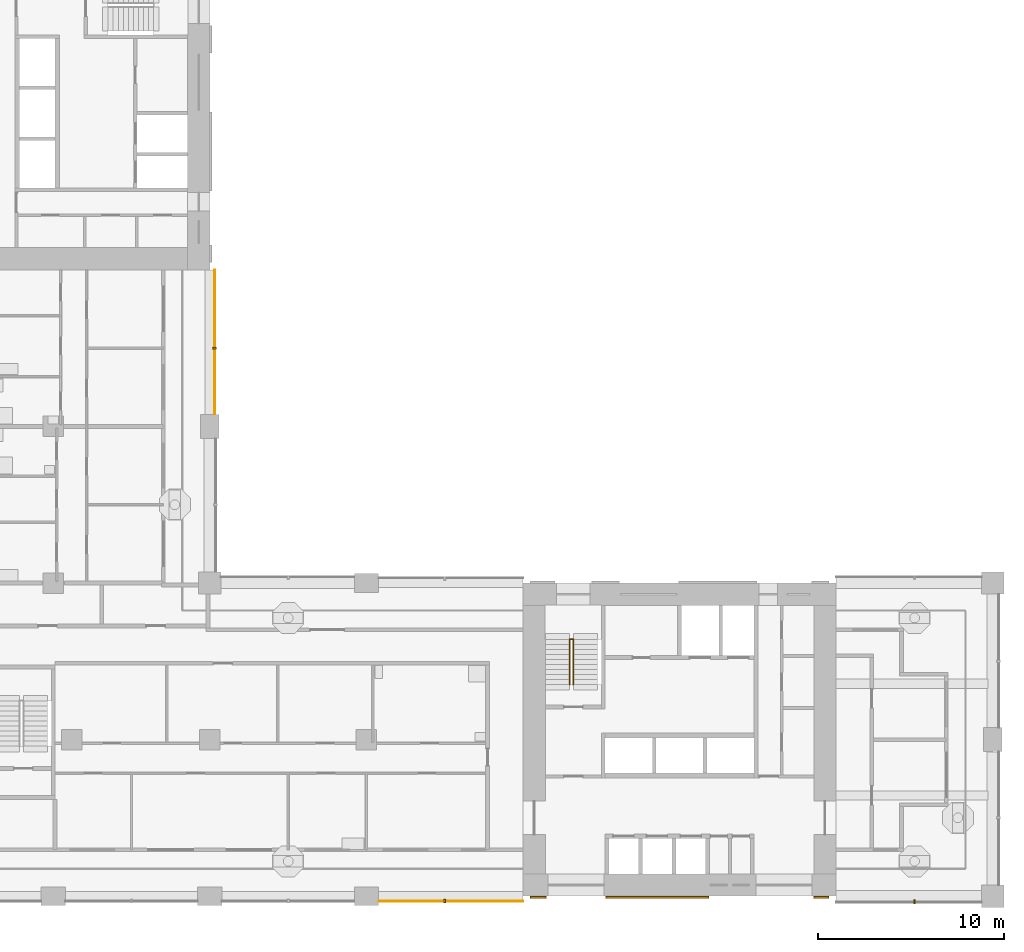
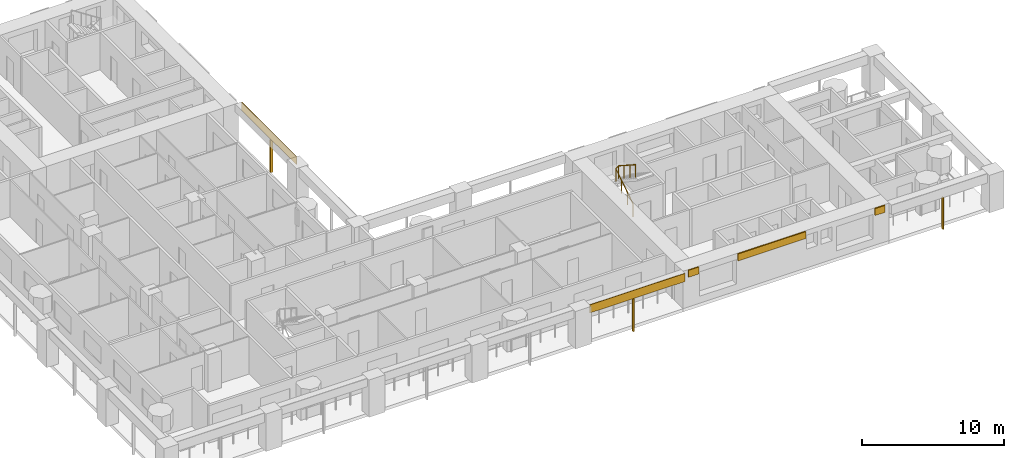
# One storey, part 11 of 18: 8 shading devices, 1 railing.
"""IFC4 building model written with IfcOpenShell, lengths in metres."""

from ifc_helpers import new_model, si_unit, direction, frame, origin, origin_2d, place, context, subcontext, project, spatial, rectangle, circle, extrude, material, layer, layer_set, material_profile, profile_set, type_object, element, save


model = new_model("IFC4")

# Units and contexts
model_context = context("Model", 3, precision=1e-05, world=origin(), true_north=direction((0.0, 1.0)))
body_context = subcontext(model_context, "Body", "Model", "MODEL_VIEW")
ifc_project = project(units=[si_unit("LENGTHUNIT", "METRE"), si_unit("AREAUNIT", "SQUARE_METRE"), si_unit("VOLUMEUNIT", "CUBIC_METRE"), si_unit("PLANEANGLEUNIT", "RADIAN"), si_unit("MASSUNIT", "GRAM", prefix="KILO")], contexts=[model_context])

# Site, building, storey
site_placement = place(None, origin())
site = spatial("IfcSite", under=ifc_project, at=site_placement, CompositionType="ELEMENT")
building_placement = place(site_placement, origin())
building = spatial("IfcBuilding", under=site, at=building_placement, Name="Vermilion Gate Residences", CompositionType="ELEMENT")
storey_placement = place(building_placement, frame((0.0, 0.0, 81.199951171875)))
storey = spatial("IfcBuildingStorey", under=building, at=storey_placement, Name="L19", CompositionType="ELEMENT", Elevation=81.199951171875)

# Shading devices
ifc_material_1 = material(Name="Perforated terracotta", Category="masonry")
ifc_layer_1 = layer(ifc_material_1, 0.0400390625)
ifc_layer_set_1 = layer_set([ifc_layer_1], Name="PERFORATED TERRACOTTA SCREEN 40")
shading_device_type_1 = type_object("IfcShadingDeviceType", Name="PERFORATED TERRACOTTA SCREEN 40", PredefinedType="SHUTTER", material=ifc_layer_set_1)
for number, where, z_axis, x_axis, name in (
    (1, (38.125, 8.1298828125, 2.52001953125), (0.0, 0.0, 1.0), (1.0, 0.0, 0.0), "SCREEN"),
    (2, (25.469970703125, 38.125, 2.52001953125), (0.0, 0.0, 1.0), (0.0, 1.0, 0.0), "SCREEN"),
):
    element("IfcShadingDevice", number, at=place(storey_placement, frame(where, z_axis=z_axis, x_axis=x_axis)), inside=storey, type_object=shading_device_type_1, Name=name, PredefinedType="SHUTTER", context=body_context, shape_type="SweptSolid", body=[
        extrude(rectangle(XDim=7.75, YDim=0.0400390625, at=origin_2d()), origin(), (0.0, 0.0, 1.0), 0.699951171875),
    ])

# Railing
ifc_material_2 = material(Name="Steel S355", Category="steel")
railing_type = type_object("IfcRailingType", Name="STAIR GUARD 1100 STEEL", PredefinedType="GUARDRAIL", material=ifc_material_2)
railing_placement = place(storey_placement, frame((44.5, 19.75, 0.175048828125)))
element("IfcRailing", 3, at=railing_placement, inside=storey, type_object=railing_type, Name="Stair well guard STA1-19", PredefinedType="GUARDRAIL", context=body_context, shape_type="SweptSolid", body=[
    extrude(circle(Radius=0.02392578125, at=origin_2d()), frame((0.0, 0.0, 1.076171875), z_axis=(0.0, 0.839153699163, 0.543894354798), x_axis=(-1.0, 0.0, 0.0)), (0.0, 0.0, 1.0), 2.895751953125),
    extrude(circle(Radius=0.02392578125, at=origin_2d()), frame((0.0, 2.429931640625, 2.65087890625), z_axis=(0.752405939678, 0.0, 0.658699705433), x_axis=(0.0, 1.0, 0.0)), (0.0, 0.0, 1.0), 0.265869140625),
    extrude(circle(Radius=0.02392578125, at=origin_2d()), frame((0.199951171875, 2.429931640625, 2.826171875), z_axis=(0.0, -0.839153699163, 0.543894354798), x_axis=(1.0, 0.0, 0.0)), (0.0, 0.0, 1.0), 2.895751953125),
    extrude(circle(Radius=0.02099609375, at=origin_2d()), origin(), (0.0, 0.0, 1.0), 1.052001953125),
    extrude(circle(Radius=0.02099609375, at=origin_2d()), frame((0.0, 0.81005859375, 0.52490234375)), (0.0, 0.0, 1.0), 1.052001953125),
    extrude(circle(Radius=0.02099609375, at=origin_2d()), frame((0.0, 1.619873046875, 1.050048828125)), (0.0, 0.0, 1.0), 1.052001953125),
    extrude(circle(Radius=0.02099609375, at=origin_2d()), frame((0.0, 2.429931640625, 1.574951171875)), (0.0, 0.0, 1.0), 1.052001953125),
    extrude(circle(Radius=0.02099609375, at=origin_2d()), frame((0.199951171875, 2.429931640625, 1.75)), (0.0, 0.0, 1.0), 1.052001953125),
    extrude(circle(Radius=0.02099609375, at=origin_2d()), frame((0.199951171875, 1.619873046875, 2.27490234375)), (0.0, 0.0, 1.0), 1.052001953125),
    extrude(circle(Radius=0.02099609375, at=origin_2d()), frame((0.199951171875, 0.81005859375, 2.800048828125)), (0.0, 0.0, 1.0), 1.052001953125),
    extrude(circle(Radius=0.02099609375, at=origin_2d()), frame((0.199951171875, 0.0, 3.324951171875)), (0.0, 0.0, 1.0), 1.052001953125),
])

# Shading devices
ifc_material_3 = material(Name="Extruded terracotta", Category="masonry")
ifc_material_profile = material_profile(ifc_material_3, rectangle(XDim=0.199951171875, YDim=0.10009765625, at=origin_2d()), Name="BAGUETTE 100 X 200")
ifc_profile_set = profile_set([ifc_material_profile], Name="Extruded terracotta")
shading_device_type_2 = type_object("IfcShadingDeviceType", Name="TERRACOTTA BAGUETTE 100 X 200", PredefinedType="JALOUSIE", material=ifc_profile_set)
shading_device_1_placement = place(storey_placement, frame((37.800048828125, 8.14990234375, -0.280029296875), z_axis=(0.0, 0.0, 1.0), x_axis=(0.0, 1.0, 0.0)))
element("IfcShadingDevice", 4, at=shading_device_1_placement, inside=storey, type_object=shading_device_type_2, Name="BAGUETTE", PredefinedType="JALOUSIE", context=body_context, shape_type="SweptSolid", body=[
    extrude(rectangle(XDim=0.199951171875, YDim=0.10009765625, at=origin_2d()), origin(), (0.0, 0.0, 1.0), 2.800048828125),
])
shading_device_2_placement = place(storey_placement, frame((63.0, 8.10009765625, -0.280029296875), z_axis=(0.0, 0.0, 1.0), x_axis=(0.0, 1.0, 0.0)))
element("IfcShadingDevice", 5, at=shading_device_2_placement, inside=storey, type_object=shading_device_type_2, Name="BAGUETTE", PredefinedType="JALOUSIE", context=body_context, shape_type="SweptSolid", body=[
    extrude(rectangle(XDim=0.199951171875, YDim=0.10009765625, at=origin_2d()), origin(), (0.0, 0.0, 1.0), 2.7001953125),
])
shading_device_3_placement = place(storey_placement, frame((25.449951171875, 37.800048828125, -0.280029296875), z_axis=(0.0, 0.0, 1.0), x_axis=(-1.0, 0.0, 0.0)))
element("IfcShadingDevice", 6, at=shading_device_3_placement, inside=storey, type_object=shading_device_type_2, Name="BAGUETTE", PredefinedType="JALOUSIE", context=body_context, shape_type="SweptSolid", body=[
    extrude(rectangle(XDim=0.199951171875, YDim=0.10009765625, at=origin_2d()), origin(), (0.0, 0.0, 1.0), 2.800048828125),
])
ifc_material_4 = material(Name="Extruded terracotta", Category="masonry")
ifc_layer_2 = layer(ifc_material_4, 0.10009765625)
ifc_layer_set_2 = layer_set([ifc_layer_2], Name="TERRACOTTA SPANDREL BAND 600 X 100")
shading_device_type_3 = type_object("IfcShadingDeviceType", Name="TERRACOTTA SPANDREL BAND 600 X 100", PredefinedType="USERDEFINED", material=ifc_layer_set_2)
shading_device_4_placement = place(storey_placement, frame((42.824951171875, 8.35009765625, 2.6201171875), z_axis=(0.0, 0.0, 1.0), x_axis=(1.0, 0.0, 0.0)))
element("IfcShadingDevice", 7, at=shading_device_4_placement, inside=storey, type_object=shading_device_type_3, Name="SPANDREL BAND", ObjectType="BAND", PredefinedType="USERDEFINED", context=body_context, shape_type="SweptSolid", body=[
    extrude(rectangle(XDim=0.85009765625, YDim=0.10009765625, at=origin_2d()), origin(), (0.0, 0.0, 1.0), 0.60009765625),
])
shading_device_5_placement = place(storey_placement, frame((49.199951171875, 8.35009765625, 2.6201171875), z_axis=(0.0, 0.0, 1.0), x_axis=(1.0, 0.0, 0.0)))
element("IfcShadingDevice", 8, at=shading_device_5_placement, inside=storey, type_object=shading_device_type_3, Name="SPANDREL BAND", ObjectType="BAND", PredefinedType="USERDEFINED", context=body_context, shape_type="SweptSolid", body=[
    extrude(rectangle(XDim=5.5, YDim=0.10009765625, at=origin_2d()), origin(), (0.0, 0.0, 1.0), 0.60009765625),
])
shading_device_6_placement = place(storey_placement, frame((58.0, 8.35009765625, 2.6201171875), z_axis=(0.0, 0.0, 1.0), x_axis=(1.0, 0.0, 0.0)))
element("IfcShadingDevice", 9, at=shading_device_6_placement, inside=storey, type_object=shading_device_type_3, Name="SPANDREL BAND", ObjectType="BAND", PredefinedType="USERDEFINED", context=body_context, shape_type="SweptSolid", body=[
    extrude(rectangle(XDim=0.800048828125, YDim=0.10009765625, at=origin_2d()), origin(), (0.0, 0.0, 1.0), 0.60009765625),
])

save(model, "model.ifc")
